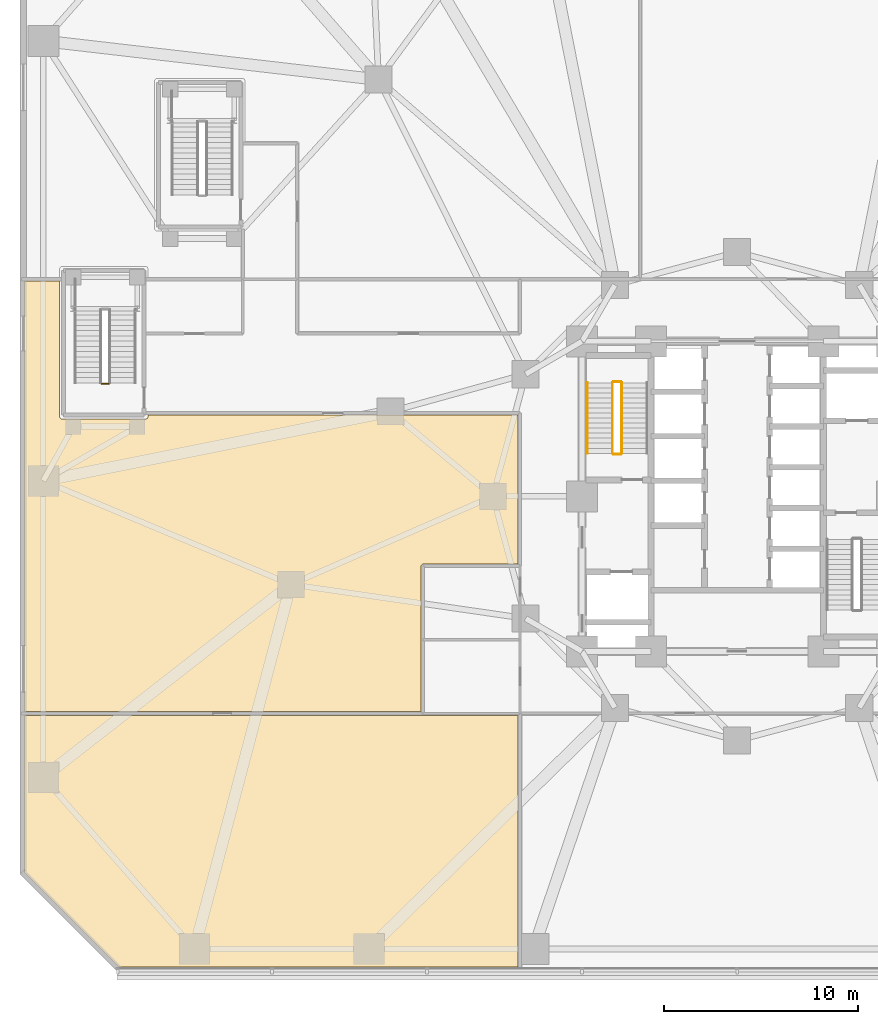
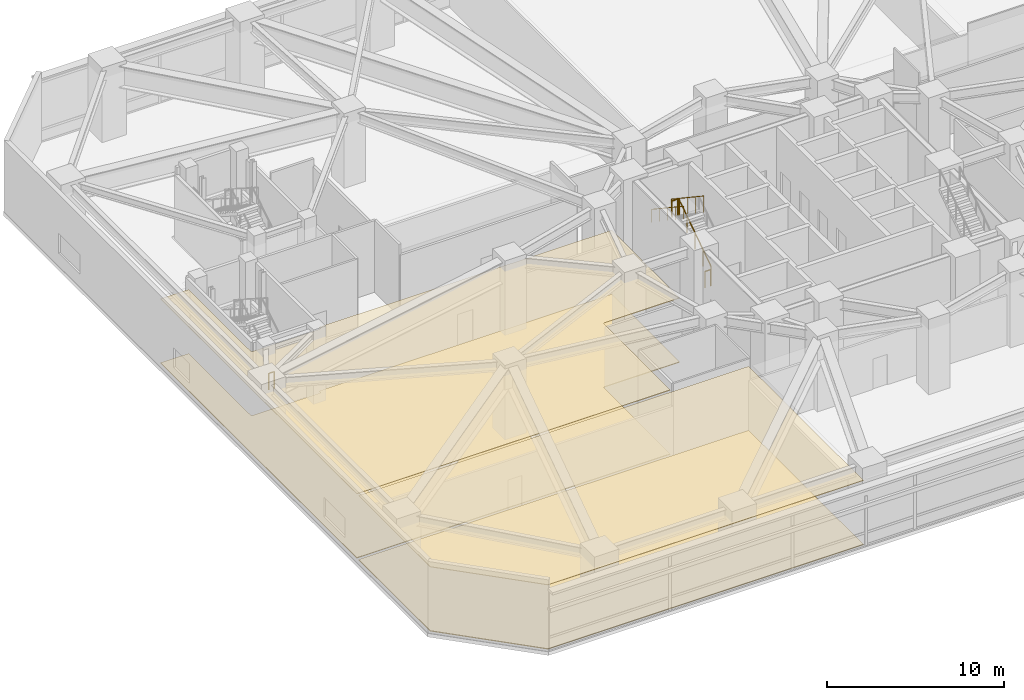
# One storey, part 22 of 27: 6 railings, 4 coverings.
"""IFC4 building model written with IfcOpenShell, lengths in metres."""

from ifc_helpers import new_model, si_unit, direction, frame, origin, origin_2d, place, context, subcontext, project, spatial, polyline, circle, outline, extrude, material, layer, layer_set, type_object, element, save


model = new_model("IFC4")

# Units and contexts
model_context = context("Model", 3, precision=1e-05, world=origin(), true_north=direction((0.0, 1.0)))
body_context = subcontext(model_context, "Body", "Model", "MODEL_VIEW")
ifc_project = project(units=[si_unit("LENGTHUNIT", "METRE"), si_unit("AREAUNIT", "SQUARE_METRE"), si_unit("VOLUMEUNIT", "CUBIC_METRE"), si_unit("PLANEANGLEUNIT", "RADIAN"), si_unit("MASSUNIT", "GRAM", prefix="KILO")], contexts=[model_context])

# Site, building, storey
site_placement = place(None, origin())
site = spatial("IfcSite", under=ifc_project, at=site_placement, CompositionType="ELEMENT")
building_placement = place(site_placement, origin())
building = spatial("IfcBuilding", under=site, at=building_placement, Name="Terralouvre Media Tower", CompositionType="ELEMENT")
storey_placement = place(building_placement, frame((0.0, 0.0, 5.199951171875)))
storey = spatial("IfcBuildingStorey", under=building, at=storey_placement, Name="L01", CompositionType="ELEMENT", Elevation=5.199951171875)

# Coverings
ifc_material_1 = material(Name="Resilient elastomer acoustic broadcast studio flooring")
ifc_layer_1 = layer(ifc_material_1, 0.050048828125, Name="Broadcast Studio Acoustic Floating Floor FL-AC1")
ifc_layer_set_1 = layer_set([ifc_layer_1], Name="Resilient elastomer acoustic broadcast studio flooring")
covering_type_1 = type_object("IfcCoveringType", Name="Broadcast Studio Acoustic Floating Floor FL-AC1", PredefinedType="FLOORING", material=ifc_layer_set_1)
covering_1_placement = place(storey_placement, origin())
element("IfcCovering", 1, at=covering_1_placement, inside=storey, type_object=covering_type_1, Name="L01 L01 Broadcast Television Studio Hall A 1 Acoustic Floating Floor", PredefinedType="FLOORING", context=body_context, shape_type="SweptSolid", body=[
    extrude(outline(polyline([(-16.300048828125, -3.60009765625), (-16.299560546875, -3.590087890625), (-16.298095703125, -3.58056640625), (-16.295654296875, -3.571044921875), (-16.29248046875, -3.561767578125), (-16.2880859375, -3.552978515625), (-16.283203125, -3.54443359375), (-16.27734375, -3.53662109375), (-16.270751953125, -3.529296875), (-16.263427734375, -3.522705078125), (-16.255615234375, -3.516845703125), (-16.2470703125, -3.51171875), (-16.23828125, -3.507568359375), (-16.22900390625, -3.50439453125), (-16.219482421875, -3.501953125), (-16.209716796875, -3.50048828125), (-16.199951171875, -3.5), (-11.300048828125, -3.5), (-11.300048828125, 4.199951171875), (-30.39990234375, 4.199951171875), (-30.39990234375, 4.10009765625), (-30.400390625, 4.090087890625), (-30.40185546875, 4.08056640625), (-30.404296875, 4.071044921875), (-30.40771484375, 4.061767578125), (-30.411865234375, 4.052978515625), (-30.4169921875, 4.04443359375), (-30.422607421875, 4.03662109375), (-30.42919921875, 4.029296875), (-30.4365234375, 4.022705078125), (-30.4443359375, 4.016845703125), (-30.452880859375, 4.01171875), (-30.461669921875, 4.007568359375), (-30.470947265625, 4.00439453125), (-30.48046875, 4.001953125), (-30.490234375, 4.00048828125), (-30.5, 4.0), (-34.85009765625, 4.0), (-34.85986328125, 4.00048828125), (-34.869384765625, 4.001953125), (-34.87890625, 4.00439453125), (-34.88818359375, 4.007568359375), (-34.897216796875, 4.01171875), (-34.905517578125, 4.016845703125), (-34.913330078125, 4.022705078125), (-34.920654296875, 4.029296875), (-34.92724609375, 4.03662109375), (-34.93310546875, 4.04443359375), (-34.938232421875, 4.052978515625), (-34.9423828125, 4.061767578125), (-34.94580078125, 4.071044921875), (-34.947998046875, 4.08056640625), (-34.949462890625, 4.090087890625), (-34.949951171875, 4.10009765625), (-34.949951171875, 11.10009765625), (-36.780029296875, 11.10009765625), (-36.780029296875, -11.10009765625), (-16.300048828125, -11.10009765625), (-16.300048828125, -3.60009765625)])), origin(), (0.0, 0.0, 1.0), 0.050048828125),
])
covering_2_placement = place(storey_placement, origin())
element("IfcCovering", 2, at=covering_2_placement, inside=storey, type_object=covering_type_1, Name="L01 L01 Broadcast Television Studio Hall B 2 Acoustic Floating Floor", PredefinedType="FLOORING", context=body_context, shape_type="SweptSolid", body=[
    extrude(outline(polyline([(-11.300048828125, -24.280029296875), (-11.300048828125, -11.300048828125), (-36.780029296875, -11.300048828125), (-36.780029296875, -19.40869140625), (-31.90869140625, -24.280029296875), (-11.300048828125, -24.280029296875)])), origin(), (0.0, 0.0, 1.0), 0.050048828125),
])
ifc_material_2 = material(Name="Perforated aluminium acoustic ceiling baffle", Category="aluminium")
ifc_layer_2 = layer(ifc_material_2, 0.0400390625, Name="Perforated Acoustic Metal Tile Ceiling CL-AC1")
ifc_layer_set_2 = layer_set([ifc_layer_2], Name="Perforated aluminium acoustic ceiling baffle")
covering_type_2 = type_object("IfcCoveringType", Name="Perforated Acoustic Metal Tile Ceiling CL-AC1", PredefinedType="CEILING", material=ifc_layer_set_2)
covering_3_placement = place(storey_placement, frame((0.0, 0.0, 4.429931640625)))
element("IfcCovering", 3, at=covering_3_placement, inside=storey, type_object=covering_type_2, Name="L01 L01 Broadcast Television Studio Hall A 1 Acoustic Ceiling", PredefinedType="CEILING", context=body_context, shape_type="SweptSolid", body=[
    extrude(outline(polyline([(-16.300048828125, -3.60009765625), (-16.299560546875, -3.590087890625), (-16.298095703125, -3.58056640625), (-16.295654296875, -3.571044921875), (-16.29248046875, -3.561767578125), (-16.2880859375, -3.552978515625), (-16.283203125, -3.54443359375), (-16.27734375, -3.53662109375), (-16.270751953125, -3.529296875), (-16.263427734375, -3.522705078125), (-16.255615234375, -3.516845703125), (-16.2470703125, -3.51171875), (-16.23828125, -3.507568359375), (-16.22900390625, -3.50439453125), (-16.219482421875, -3.501953125), (-16.209716796875, -3.50048828125), (-16.199951171875, -3.5), (-11.300048828125, -3.5), (-11.300048828125, 4.199951171875), (-30.39990234375, 4.199951171875), (-30.39990234375, 4.10009765625), (-30.400390625, 4.090087890625), (-30.40185546875, 4.08056640625), (-30.404296875, 4.071044921875), (-30.40771484375, 4.061767578125), (-30.411865234375, 4.052978515625), (-30.4169921875, 4.04443359375), (-30.422607421875, 4.03662109375), (-30.42919921875, 4.029296875), (-30.4365234375, 4.022705078125), (-30.4443359375, 4.016845703125), (-30.452880859375, 4.01171875), (-30.461669921875, 4.007568359375), (-30.470947265625, 4.00439453125), (-30.48046875, 4.001953125), (-30.490234375, 4.00048828125), (-30.5, 4.0), (-34.85009765625, 4.0), (-34.85986328125, 4.00048828125), (-34.869384765625, 4.001953125), (-34.87890625, 4.00439453125), (-34.88818359375, 4.007568359375), (-34.897216796875, 4.01171875), (-34.905517578125, 4.016845703125), (-34.913330078125, 4.022705078125), (-34.920654296875, 4.029296875), (-34.92724609375, 4.03662109375), (-34.93310546875, 4.04443359375), (-34.938232421875, 4.052978515625), (-34.9423828125, 4.061767578125), (-34.94580078125, 4.071044921875), (-34.947998046875, 4.08056640625), (-34.949462890625, 4.090087890625), (-34.949951171875, 4.10009765625), (-34.949951171875, 11.10009765625), (-36.780029296875, 11.10009765625), (-36.780029296875, -11.10009765625), (-16.300048828125, -11.10009765625), (-16.300048828125, -3.60009765625)])), origin(), (0.0, 0.0, 1.0), 0.0400390625),
])
covering_4_placement = place(storey_placement, frame((0.0, 0.0, 4.429931640625)))
element("IfcCovering", 4, at=covering_4_placement, inside=storey, type_object=covering_type_2, Name="L01 L01 Broadcast Television Studio Hall B 2 Acoustic Ceiling", PredefinedType="CEILING", context=body_context, shape_type="SweptSolid", body=[
    extrude(outline(polyline([(-11.300048828125, -24.280029296875), (-11.300048828125, -11.300048828125), (-36.780029296875, -11.300048828125), (-36.780029296875, -19.40869140625), (-31.90869140625, -24.280029296875), (-11.300048828125, -24.280029296875)])), origin(), (0.0, 0.0, 1.0), 0.0400390625),
])

# Railings
ifc_material_3 = material(Name="Stainless steel 316 handrail and balustrade", Category="steel")
ifc_layer_3 = layer(ifc_material_3, 0.050048828125, Name="Stair Flight Wall Handrail HR-INT1")
ifc_layer_set_3 = layer_set([ifc_layer_3], Name="Stainless steel 316 handrail and balustrade")
railing_type_1 = type_object("IfcRailingType", Name="Stair Flight Wall Handrail HR-INT1", PredefinedType="HANDRAIL", material=ifc_layer_set_3)
railing_1_placement = place(storey_placement, frame((-7.72998046875, 5.860107421875, 2.7734375)))
element("IfcRailing", 5, at=railing_1_placement, inside=storey, type_object=railing_type_1, Name="L01 ST-01 stair handrail 2", PredefinedType="HANDRAIL", context=body_context, shape_type="SweptSolid", body=[
    extrude(circle(Radius=0.02392578125, at=origin_2d()), frame((0.0, 0.0, 0.8759765625), z_axis=(0.0, -0.832076050322, 0.554661560305), x_axis=(1.0, 0.0, 0.0)), (0.0, 0.0, 1.0), 4.374755859375),
    extrude(circle(Radius=0.02099609375, at=origin_2d()), origin(), (0.0, 0.0, 1.0), 0.851806640625),
    extrude(circle(Radius=0.02099609375, at=origin_2d()), frame((0.0, -0.91015625, 0.606689453125)), (0.0, 0.0, 1.0), 0.851806640625),
    extrude(circle(Radius=0.02099609375, at=origin_2d()), frame((0.0, -1.820068359375, 1.21337890625)), (0.0, 0.0, 1.0), 0.851806640625),
    extrude(circle(Radius=0.02099609375, at=origin_2d()), frame((0.0, -2.72998046875, 1.81982421875)), (0.0, 0.0, 1.0), 0.851806640625),
    extrude(circle(Radius=0.02099609375, at=origin_2d()), frame((0.0, -3.64013671875, 2.426513671875)), (0.0, 0.0, 1.0), 0.851806640625),
])
ifc_material_4 = material(Name="Stainless steel 316 handrail and balustrade", Category="steel")
ifc_layer_4 = layer(ifc_material_4, 0.050048828125, Name="Stairwell Safety Guardrail GR-INT1")
ifc_layer_set_4 = layer_set([ifc_layer_4], Name="Stainless steel 316 handrail and balustrade")
railing_type_2 = type_object("IfcRailingType", Name="Stairwell Safety Guardrail GR-INT1", PredefinedType="GUARDRAIL", material=ifc_layer_set_4)
railing_2_placement = place(storey_placement, frame((-5.949951171875, 2.219970703125, 0.17333984375)))
element("IfcRailing", 6, at=railing_2_placement, inside=storey, type_object=railing_type_2, Name="L01 ST-01 stair guard 1", PredefinedType="GUARDRAIL", context=body_context, shape_type="SweptSolid", body=[
    extrude(circle(Radius=0.02392578125, at=origin_2d()), frame((0.0, 0.0, 1.1259765625), z_axis=(0.0, 0.832050294338, 0.554700196225), x_axis=(-1.0, 0.0, 0.0)), (0.0, 0.0, 1.0), 4.375),
    extrude(circle(Radius=0.02099609375, at=origin_2d()), origin(), (0.0, 0.0, 1.0), 1.101806640625),
    extrude(circle(Radius=0.02099609375, at=origin_2d()), frame((0.0, 0.91015625, 0.606689453125)), (0.0, 0.0, 1.0), 1.101806640625),
    extrude(circle(Radius=0.02099609375, at=origin_2d()), frame((0.0, 1.820068359375, 1.21337890625)), (0.0, 0.0, 1.0), 1.101806640625),
    extrude(circle(Radius=0.02099609375, at=origin_2d()), frame((0.0, 2.72998046875, 1.820068359375)), (0.0, 0.0, 1.0), 1.101806640625),
    extrude(circle(Radius=0.02099609375, at=origin_2d()), frame((0.0, 3.64013671875, 2.4267578125)), (0.0, 0.0, 1.0), 1.101806640625),
])
railing_3_placement = place(storey_placement, frame((-6.0, 5.909912109375, 2.60009765625)))
element("IfcRailing", 7, at=railing_3_placement, inside=storey, type_object=railing_type_2, Name="L01 ST-01 stair guard 2", PredefinedType="GUARDRAIL", context=body_context, shape_type="SweptSolid", body=[
    extrude(circle(Radius=0.02392578125, at=origin_2d()), frame((0.0, 0.0, 1.1259765625), z_axis=(-1.0, 0.0, 0.0), x_axis=(0.0, -1.0, 0.0)), (0.0, 0.0, 1.0), 0.3798828125),
    extrude(circle(Radius=0.02099609375, at=origin_2d()), origin(), (0.0, 0.0, 1.0), 1.101806640625),
    extrude(circle(Radius=0.02099609375, at=origin_2d()), frame((-0.3798828125, 0.0, 0.0)), (0.0, 0.0, 1.0), 1.101806640625),
])
railing_4_placement = place(storey_placement, frame((-6.429931640625, 5.860107421875, 2.7734375)))
element("IfcRailing", 8, at=railing_4_placement, inside=storey, type_object=railing_type_2, Name="L01 ST-01 stair guard 3", PredefinedType="GUARDRAIL", context=body_context, shape_type="SweptSolid", body=[
    extrude(circle(Radius=0.02392578125, at=origin_2d()), frame((0.0, 0.0, 1.1259765625), z_axis=(0.0, -0.832076050322, 0.554661560305), x_axis=(1.0, 0.0, 0.0)), (0.0, 0.0, 1.0), 4.374755859375),
    extrude(circle(Radius=0.02099609375, at=origin_2d()), origin(), (0.0, 0.0, 1.0), 1.101806640625),
    extrude(circle(Radius=0.02099609375, at=origin_2d()), frame((0.0, -0.91015625, 0.606689453125)), (0.0, 0.0, 1.0), 1.101806640625),
    extrude(circle(Radius=0.02099609375, at=origin_2d()), frame((0.0, -1.820068359375, 1.21337890625)), (0.0, 0.0, 1.0), 1.101806640625),
    extrude(circle(Radius=0.02099609375, at=origin_2d()), frame((0.0, -2.72998046875, 1.81982421875)), (0.0, 0.0, 1.0), 1.101806640625),
    extrude(circle(Radius=0.02099609375, at=origin_2d()), frame((0.0, -3.64013671875, 2.426513671875)), (0.0, 0.0, 1.0), 1.101806640625),
])
railing_5_placement = place(storey_placement, frame((-6.0, 2.169921875, 0.0)))
element("IfcRailing", 9, at=railing_5_placement, inside=storey, type_object=railing_type_2, Name="L01 ST-01 stair guard 4", PredefinedType="GUARDRAIL", context=body_context, shape_type="SweptSolid", body=[
    extrude(circle(Radius=0.02392578125, at=origin_2d()), frame((0.0, 0.0, 1.1259765625), z_axis=(-1.0, 0.0, 0.0), x_axis=(0.0, -1.0, 0.0)), (0.0, 0.0, 1.0), 0.3798828125),
    extrude(circle(Radius=0.02099609375, at=origin_2d()), origin(), (0.0, 0.0, 1.0), 1.101806640625),
    extrude(circle(Radius=0.02099609375, at=origin_2d()), frame((-0.3798828125, 0.0, 0.0)), (0.0, 0.0, 1.0), 1.101806640625),
])
railing_6_placement = place(storey_placement, frame((-32.419921875, 5.800048828125, 0.0)))
element("IfcRailing", 10, at=railing_6_placement, inside=storey, type_object=railing_type_2, Name="L01 ST-03 stair guard 4", PredefinedType="GUARDRAIL", context=body_context, shape_type="SweptSolid", body=[
    extrude(circle(Radius=0.02392578125, at=origin_2d()), frame((0.0, 0.0, 1.1259765625), z_axis=(-1.0, 0.0, 0.0), x_axis=(0.0, -1.0, 0.0)), (0.0, 0.0, 1.0), 0.360107421875),
    extrude(circle(Radius=0.02099609375, at=origin_2d()), origin(), (0.0, 0.0, 1.0), 1.101806640625),
    extrude(circle(Radius=0.02099609375, at=origin_2d()), frame((-0.360107421875, 0.0, 0.0)), (0.0, 0.0, 1.0), 1.101806640625),
])

save(model, "model.ifc")
